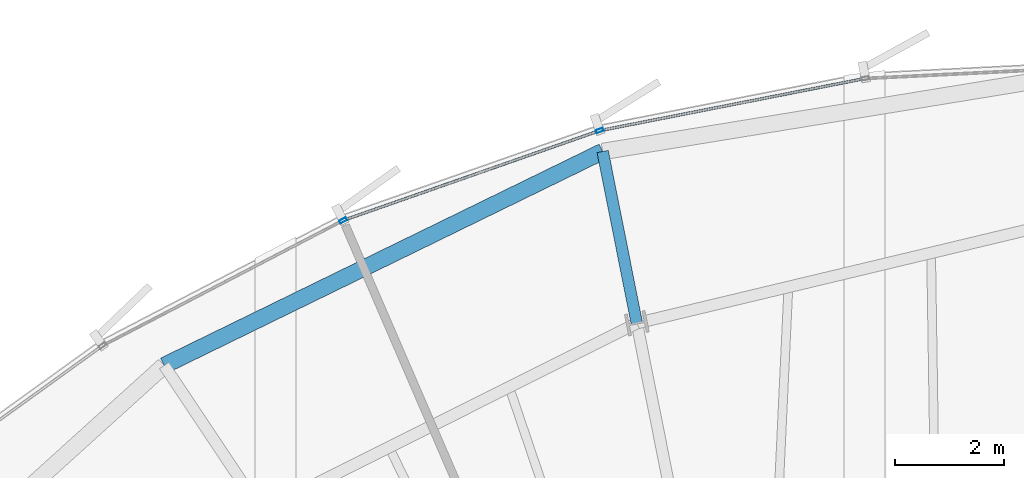
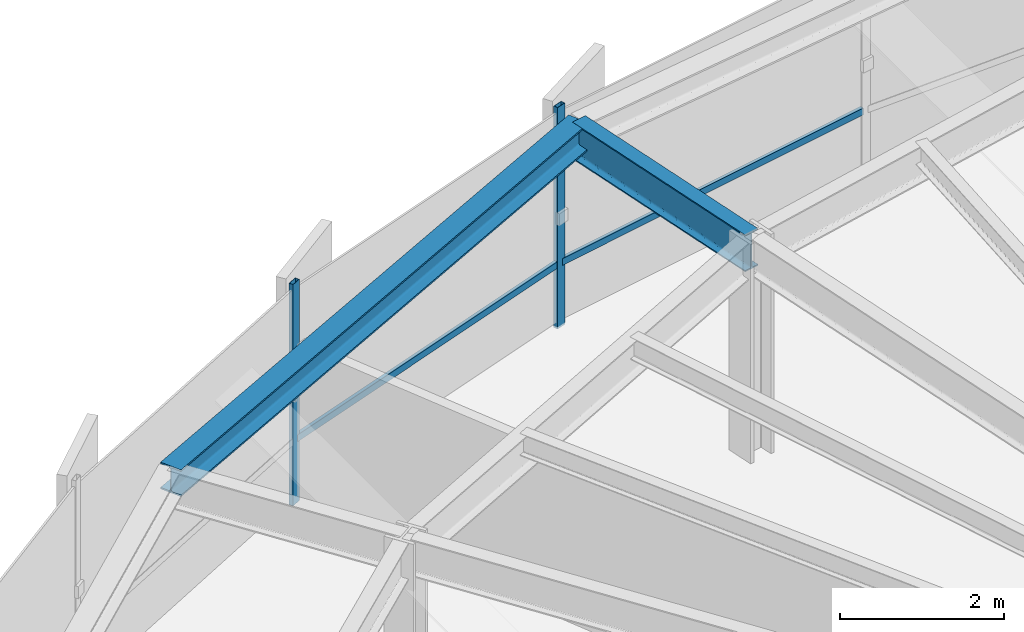
# One storey, part 20 of 34: 4 members, 2 beams, 1 element without a shape of its own.
"""IFC4 building model written with IfcOpenShell, lengths in metres."""

from ifc_helpers import new_model, si_unit, direction, frame, origin, origin_2d, place, context, subcontext, project, spatial, hollow_rectangle, i_section, extrude, source, transform, mapped, material, layer, layer_set, material_profile, profile_set, type_object, element, aggregate, save


model = new_model("IFC4")

# Units and contexts
model_context = context("Model", 3, precision=1e-05, world=origin(), true_north=direction((0.0, 1.0)))
body_context = subcontext(model_context, "Body", "Model", "MODEL_VIEW")
ifc_project = project(units=[si_unit("LENGTHUNIT", "METRE"), si_unit("AREAUNIT", "SQUARE_METRE"), si_unit("VOLUMEUNIT", "CUBIC_METRE"), si_unit("PLANEANGLEUNIT", "RADIAN"), si_unit("MASSUNIT", "GRAM", prefix="KILO"), si_unit("THERMODYNAMICTEMPERATUREUNIT", "KELVIN")], contexts=[model_context])

# Site, building, storey
site_placement = place(None, origin())
site = spatial("IfcSite", under=ifc_project, at=site_placement, CompositionType="ELEMENT")
building_placement = place(site_placement, origin())
building = spatial("IfcBuilding", under=site, at=building_placement, Name="Kethvar Cultural Tower", CompositionType="ELEMENT")
storey_placement = place(building_placement, frame((0.0, 0.0, 128.800048828125)))
storey = spatial("IfcBuildingStorey", under=building, at=storey_placement, Name="L32", CompositionType="ELEMENT", Elevation=128.800048828125)

# Beams
ifc_material_1 = material(Name="Steel S355J2", Category="steel")
ifc_material_profile_1 = material_profile(ifc_material_1, i_section(OverallWidth=0.2099609375, OverallDepth=0.550048828125, WebThickness=0.010986328125, FlangeThickness=0.01708984375, FilletRadius=0.02392578125, at=origin_2d()), Name="Steel S355J2 — IPE550")
ifc_profile_set_1 = profile_set([ifc_material_profile_1], Name="Steel S355J2 — IPE550")
beam_type_1 = type_object("IfcBeamType", Name="BM-IPE550", PredefinedType="BEAM", material=ifc_profile_set_1)
shared_shape_1 = source(origin(), body_context, "Body", "SweptSolid", [
    extrude(i_section(OverallWidth=0.2099609375, OverallDepth=0.550048828125, WebThickness=0.010986328125, FlangeThickness=0.01708984375, FilletRadius=0.02392578125, at=origin_2d()), origin(), (0.0, 0.0, 1.0), 3.199951171875),
])
beam_1_placement = place(storey_placement, frame((42.9189453125, 47.311279296875, 3.02294921875), z_axis=(-0.195088965533, 0.980785550224, 0.0), x_axis=(-0.980785550224, -0.195088965533, 0.0)))
element("IfcBeam", 1, at=beam_1_placement, inside=storey, type_object=beam_type_1, Name="L32 Perimeter Cantilever Beam RC-05", PredefinedType="BEAM", context=body_context, shape_type="MappedRepresentation", body=[
    mapped(shared_shape_1, transform((0.0, 0.0, 0.0), scale=1.0)),
])
ifc_material_profile_2 = material_profile(ifc_material_1, i_section(OverallWidth=0.300048828125, OverallDepth=0.39990234375, WebThickness=0.013427734375, FlangeThickness=0.02392578125, FilletRadius=0.027099609375, at=origin_2d()), Name="Steel S355J2 — HEB400")
ifc_profile_set_2 = profile_set([ifc_material_profile_2], Name="Steel S355J2 — HEB400")
beam_type_2 = type_object("IfcBeamType", Name="BM-SP400", PredefinedType="SPANDREL", material=ifc_profile_set_2)
shared_shape_2 = source(origin(), body_context, "Body", "SweptSolid", [
    extrude(i_section(OverallWidth=0.300048828125, OverallDepth=0.39990234375, WebThickness=0.013427734375, FlangeThickness=0.02392578125, FilletRadius=0.027099609375, at=origin_2d()), origin(), (0.0, 0.0, 1.0), 8.91845703125),
])
beam_2_placement = place(storey_placement, frame((42.294677734375, 50.44970703125, 3.097900390625), z_axis=(-0.898683713341, -0.438597290662, 0.0), x_axis=(0.438597290662, -0.898683713341, 0.0)))
element("IfcBeam", 2, at=beam_2_placement, inside=storey, type_object=beam_type_2, Name="L32 Perimeter Spandrel Beam SP-05", PredefinedType="SPANDREL", context=body_context, shape_type="MappedRepresentation", body=[
    mapped(shared_shape_2, transform((0.0, 0.0, 0.0), scale=1.0)),
])

# Curtain wall, members
ifc_material_2 = material(Name="Aluminium 6063-T6", Category="aluminium")
ifc_layer = layer(ifc_material_2, 0.179931640625, Name="Aluminium 6063-T6", Category="aluminium")
ifc_layer_set = layer_set([ifc_layer], Name="Aluminium 6063-T6 (180 mm)")
curtain_wall_type = type_object("IfcCurtainWallType", Name="CW-SYS-04-Z34", PredefinedType="NOTDEFINED", material=ifc_layer_set)
curtain_wall_placement = place(storey_placement, origin())
curtain_wall = element("IfcCurtainWall", 3, at=curtain_wall_placement, inside=storey, type_object=curtain_wall_type, Name="L32 Curtain Wall Run 02", PredefinedType="NOTDEFINED")
ifc_material_profile_3 = material_profile(ifc_material_2, hollow_rectangle(XDim=0.06005859375, YDim=0.139892578125, WallThickness=0.0048828125, at=origin_2d()), Name="Aluminium 6063-T6 — RHS140x60x5")
ifc_profile_set_3 = profile_set([ifc_material_profile_3], Name="Aluminium 6063-T6 — RHS140x60x5")
member_type_1 = type_object("IfcMemberType", Name="CW-SYS-04-Z34-MUL", PredefinedType="MULLION", material=ifc_profile_set_3)
shared_shape_3 = source(origin(), body_context, "Body", "SweptSolid", [
    extrude(hollow_rectangle(XDim=0.06005859375, YDim=0.139892578125, WallThickness=0.0048828125, at=origin_2d()), origin(), (0.0, 0.0, 1.0), 3.300048828125),
])
member_1_placement = place(storey_placement, frame((42.23974609375, 50.83203125, 0.0), z_axis=(0.0, 0.0, 1.0), x_axis=(0.330613225505, -0.943766335022, 0.0)))
member_1 = element("IfcMember", 4, at=member_1_placement, type_object=member_type_1, Name="CW-L32-R02 Mullion 3", PredefinedType="MULLION", context=body_context, shape_type="MappedRepresentation", body=[
    mapped(shared_shape_3, transform((0.0, 0.0, 0.0), scale=1.0)),
])
member_2_placement = place(storey_placement, frame((37.552001953125, 49.19091796875, 0.0), z_axis=(0.0, 0.0, 1.0), x_axis=(0.461779575473, -0.886994714571, 0.0)))
member_2 = element("IfcMember", 5, at=member_2_placement, type_object=member_type_1, Name="CW-L32-R02 Mullion 4", PredefinedType="MULLION", context=body_context, shape_type="MappedRepresentation", body=[
    mapped(shared_shape_3, transform((0.0, 0.0, 0.0), scale=1.0)),
])
ifc_material_profile_4 = material_profile(ifc_material_2, hollow_rectangle(XDim=0.050048828125, YDim=0.10009765625, WallThickness=0.00390625, at=origin_2d()), Name="Aluminium 6063-T6 — RHS100x50x4")
ifc_profile_set_4 = profile_set([ifc_material_profile_4], Name="Aluminium 6063-T6 — RHS100x50x4")
member_type_2 = type_object("IfcMemberType", Name="CW-SYS-04-Z34-TRN", PredefinedType="USERDEFINED", material=ifc_profile_set_4)
shared_shape_4 = source(origin(), body_context, "Body", "SweptSolid", [
    extrude(hollow_rectangle(XDim=0.050048828125, YDim=0.10009765625, WallThickness=0.00390625, at=origin_2d()), origin(), (0.0, 0.0, 1.0), 4.880615234375),
])
member_3_placement = place(storey_placement, frame((47.05615234375, 51.777587890625, 0.949951171875), z_axis=(-0.981221780524, -0.19288291118, 0.0), x_axis=(0.19288291118, -0.981221780524, 0.0)))
member_3 = element("IfcMember", 6, at=member_3_placement, type_object=member_type_2, Name="CW-L32-R02 Transom 2", ObjectType="TRANSOM", PredefinedType="USERDEFINED", context=body_context, shape_type="MappedRepresentation", body=[
    mapped(shared_shape_4, transform((0.0, 0.0, 0.0), scale=1.0)),
])
shared_shape_5 = source(origin(), body_context, "Body", "SweptSolid", [
    extrude(hollow_rectangle(XDim=0.050048828125, YDim=0.10009765625, WallThickness=0.00390625, at=origin_2d()), origin(), (0.0, 0.0, 1.0), 4.896240234375),
])
member_4_placement = place(storey_placement, frame((42.198974609375, 50.81787109375, 0.949951171875), z_axis=(-0.94377203426, -0.330596956049, 0.0), x_axis=(0.330596956049, -0.94377203426, 0.0)))
member_4 = element("IfcMember", 7, at=member_4_placement, type_object=member_type_2, Name="CW-L32-R02 Transom 3", ObjectType="TRANSOM", PredefinedType="USERDEFINED", context=body_context, shape_type="MappedRepresentation", body=[
    mapped(shared_shape_5, transform((0.0, 0.0, 0.0), scale=1.0)),
])
aggregate(curtain_wall, [member_1, member_2, member_3, member_4])

save(model, "model.ifc")
